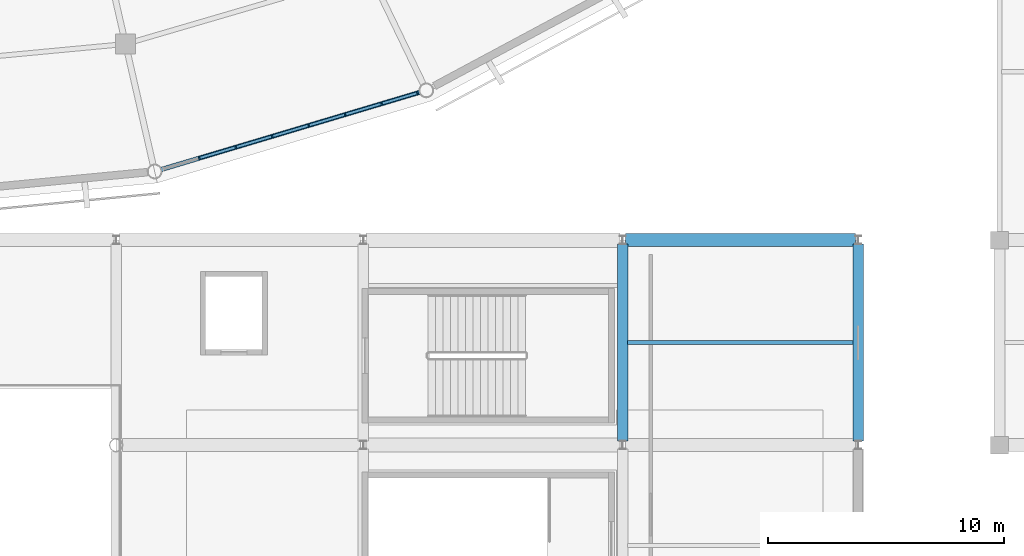
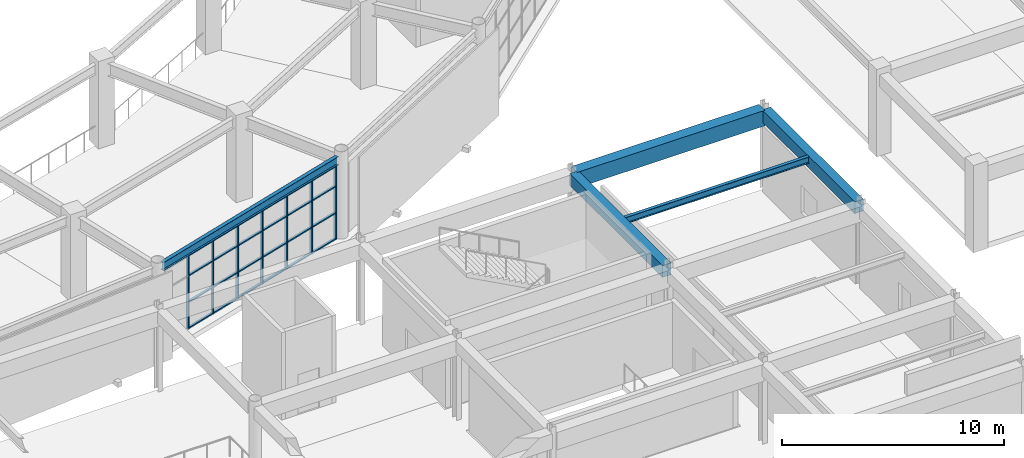
# One storey, part 31 of 112: 31 members, 5 beams, 1 element without a shape of its own.
"""IFC4 building model written with IfcOpenShell, lengths in metres."""

from ifc_helpers import new_model, si_unit, direction, frame, origin, origin_2d, place, context, subcontext, project, spatial, rectangle, i_section, extrude, material, material_profile, profile_set, type_object, element, aggregate, save


model = new_model("IFC4")

# Units and contexts
model_context = context("Model", 3, precision=1e-05, world=origin(), true_north=direction((0.0, 1.0)))
body_context = subcontext(model_context, "Body", "Model", "MODEL_VIEW")
ifc_project = project(units=[si_unit("LENGTHUNIT", "METRE"), si_unit("AREAUNIT", "SQUARE_METRE"), si_unit("VOLUMEUNIT", "CUBIC_METRE"), si_unit("PLANEANGLEUNIT", "RADIAN"), si_unit("MASSUNIT", "GRAM", prefix="KILO")], contexts=[model_context])

# Site, building, storey
site_placement = place(None, origin())
site = spatial("IfcSite", under=ifc_project, at=site_placement, CompositionType="ELEMENT")
building_placement = place(site_placement, origin())
building = spatial("IfcBuilding", under=site, at=building_placement, Name="Cuetzalor Civic Arena", CompositionType="ELEMENT")
storey_placement = place(building_placement, frame((0.0, 0.0, 11.39990234375)))
storey = spatial("IfcBuildingStorey", under=building, at=storey_placement, Name="L02", CompositionType="ELEMENT", Elevation=11.39990234375)

# Beams
ifc_material_1 = material(Name="Concrete C40/50", Category="concrete")
ifc_material_profile_1 = material_profile(ifc_material_1, rectangle(XDim=0.550048828125, YDim=0.85009765625, at=origin_2d()), Name="RC 550x850")
ifc_profile_set_1 = profile_set([ifc_material_profile_1], Name="Concrete C40/50")
beam_type_1 = type_object("IfcBeamType", Name="ConcreteFrameBeam_550x850", PredefinedType="BEAM", material=ifc_profile_set_1)
beam_1_placement = place(storey_placement, frame((32.118408203125, -48.300048828125, 4.09521484375), z_axis=(1.0, 0.0, 0.0), x_axis=(0.0, 1.0, 0.0)))
element("IfcBeam", 1, at=beam_1_placement, inside=storey, type_object=beam_type_1, Name="Frame Girder V3-L02-X0600", PredefinedType="BEAM", context=body_context, shape_type="SweptSolid", body=[
    extrude(rectangle(XDim=0.550048828125, YDim=0.85009765625, at=origin_2d()), origin(), (0.0, 0.0, 1.0), 9.76318359375),
])
ifc_material_2 = material(Name="Concrete C40/50", Category="concrete")
ifc_material_profile_2 = material_profile(ifc_material_2, rectangle(XDim=0.449951171875, YDim=0.64990234375, at=origin_2d()), Name="RC 450x650")
ifc_profile_set_2 = profile_set([ifc_material_profile_2], Name="Concrete C40/50")
beam_type_2 = type_object("IfcBeamType", Name="ConcreteTieBeam_450x650", PredefinedType="BEAM", material=ifc_profile_set_2)
for number, where, z_axis, x_axis, name in (
    (2, (32.0, -56.82861328125, 4.195068359375), (0.0, 1.0, 0.0), (-1.0, 0.0, 0.0), "Frame Girder V3-L02-Y0618"),
    (3, (42.0, -56.82861328125, 4.195068359375), (0.0, 1.0, 0.0), (-1.0, 0.0, 0.0), "Frame Girder V3-L02-Y0621"),
):
    element("IfcBeam", number, at=place(storey_placement, frame(where, z_axis=z_axis, x_axis=x_axis)), inside=storey, type_object=beam_type_2, Name=name, PredefinedType="BEAM", context=body_context, shape_type="SweptSolid", body=[
        extrude(rectangle(XDim=0.449951171875, YDim=0.64990234375, at=origin_2d()), origin(), (0.0, 0.0, 1.0), 8.357177734375),
    ])

# Curtain wall, members
ifc_material_3 = material(Name="Anodised dark bronze aluminium and low-E solar glass", Category="aluminium")
curtain_wall_type = type_object("IfcCurtainWallType", Name="UnitisedCW_11300x4050", PredefinedType="USERDEFINED", material=ifc_material_3)
curtain_wall_placement = place(storey_placement, origin())
curtain_wall = element("IfcCurtainWall", 4, at=curtain_wall_placement, inside=storey, type_object=curtain_wall_type, Name="Drum Triangle Foyer Curtain Wall L02-042", ObjectType="UNITISED CURTAIN WALL", PredefinedType="USERDEFINED")
ifc_material_4 = material(Name="Anodised dark bronze aluminium", Category="aluminium")
ifc_material_profile_3 = material_profile(ifc_material_4, rectangle(XDim=0.06494140625, YDim=0.14990234375, at=origin_2d()), Name="ALU MULLION 65x150")
ifc_profile_set_3 = profile_set([ifc_material_profile_3], Name="Anodised dark bronze aluminium")
member_type_1 = type_object("IfcMemberType", Name="CurtainWallMullion_60x150", PredefinedType="MULLION", material=ifc_profile_set_3)
member_1_placement = place(storey_placement, frame((23.290771484375, -42.052734375, 0.0), z_axis=(0.0, 0.0, 1.0), x_axis=(-0.958193690548, -0.286120344251, 0.0)))
member_1 = element("IfcMember", 5, at=member_1_placement, type_object=member_type_1, Name="CW-15 mullion 1", PredefinedType="MULLION", context=body_context, shape_type="SweptSolid", body=[
    extrude(rectangle(XDim=0.06494140625, YDim=0.14990234375, at=origin_2d()), origin(), (0.0, 0.0, 1.0), 4.052978515625),
])
member_2_placement = place(storey_placement, frame((21.77392578125, -42.505859375, 0.0), z_axis=(0.0, 0.0, 1.0), x_axis=(-0.958193690548, -0.286120344251, 0.0)))
member_2 = element("IfcMember", 6, at=member_2_placement, type_object=member_type_1, Name="CW-15 mullion 2", PredefinedType="MULLION", context=body_context, shape_type="SweptSolid", body=[
    extrude(rectangle(XDim=0.06494140625, YDim=0.14990234375, at=origin_2d()), origin(), (0.0, 0.0, 1.0), 4.052978515625),
])
member_3_placement = place(storey_placement, frame((20.2255859375, -42.968017578125, 0.0), z_axis=(0.0, 0.0, 1.0), x_axis=(-0.958193690548, -0.286120344251, 0.0)))
member_3 = element("IfcMember", 7, at=member_3_placement, type_object=member_type_1, Name="CW-15 mullion 3", PredefinedType="MULLION", context=body_context, shape_type="SweptSolid", body=[
    extrude(rectangle(XDim=0.06494140625, YDim=0.14990234375, at=origin_2d()), origin(), (0.0, 0.0, 1.0), 4.052978515625),
])
member_4_placement = place(storey_placement, frame((18.677490234375, -43.430419921875, 0.0), z_axis=(0.0, 0.0, 1.0), x_axis=(-0.958193690548, -0.286120344251, 0.0)))
member_4 = element("IfcMember", 8, at=member_4_placement, type_object=member_type_1, Name="CW-15 mullion 4", PredefinedType="MULLION", context=body_context, shape_type="SweptSolid", body=[
    extrude(rectangle(XDim=0.06494140625, YDim=0.14990234375, at=origin_2d()), origin(), (0.0, 0.0, 1.0), 4.052978515625),
])
member_5_placement = place(storey_placement, frame((17.12939453125, -43.892578125, 0.0), z_axis=(0.0, 0.0, 1.0), x_axis=(-0.958193690548, -0.286120344251, 0.0)))
member_5 = element("IfcMember", 9, at=member_5_placement, type_object=member_type_1, Name="CW-15 mullion 5", PredefinedType="MULLION", context=body_context, shape_type="SweptSolid", body=[
    extrude(rectangle(XDim=0.06494140625, YDim=0.14990234375, at=origin_2d()), origin(), (0.0, 0.0, 1.0), 4.052978515625),
])
member_6_placement = place(storey_placement, frame((15.581298828125, -44.35498046875, 0.0), z_axis=(0.0, 0.0, 1.0), x_axis=(-0.958193690548, -0.286120344251, 0.0)))
member_6 = element("IfcMember", 10, at=member_6_placement, type_object=member_type_1, Name="CW-15 mullion 6", PredefinedType="MULLION", context=body_context, shape_type="SweptSolid", body=[
    extrude(rectangle(XDim=0.06494140625, YDim=0.14990234375, at=origin_2d()), origin(), (0.0, 0.0, 1.0), 4.052978515625),
])
member_7_placement = place(storey_placement, frame((14.032958984375, -44.817138671875, 0.0), z_axis=(0.0, 0.0, 1.0), x_axis=(-0.958193690548, -0.286120344251, 0.0)))
member_7 = element("IfcMember", 11, at=member_7_placement, type_object=member_type_1, Name="CW-15 mullion 7", PredefinedType="MULLION", context=body_context, shape_type="SweptSolid", body=[
    extrude(rectangle(XDim=0.06494140625, YDim=0.14990234375, at=origin_2d()), origin(), (0.0, 0.0, 1.0), 4.052978515625),
])
ifc_material_5 = material(Name="Anodised dark bronze aluminium", Category="aluminium")
ifc_material_profile_4 = material_profile(ifc_material_5, rectangle(XDim=0.1201171875, YDim=0.06494140625, at=origin_2d()), Name="ALU TRANSOM 65x120")
ifc_profile_set_4 = profile_set([ifc_material_profile_4], Name="Anodised dark bronze aluminium")
member_type_2 = type_object("IfcMemberType", Name="CurtainWallTransom_60x120", PredefinedType="USERDEFINED", material=ifc_profile_set_4)
member_8_placement = place(storey_placement, frame((23.259765625, -42.06201171875, 0.03271484375), z_axis=(-0.958166375169, -0.286211805303, 0.0), x_axis=(0.286211805303, -0.958166375169, 0.0)))
member_8 = element("IfcMember", 12, at=member_8_placement, type_object=member_type_2, Name="CW-15 transom 1.1", ObjectType="TRANSOM", PredefinedType="USERDEFINED", context=body_context, shape_type="SweptSolid", body=[
    extrude(rectangle(XDim=0.1201171875, YDim=0.06494140625, at=origin_2d()), origin(), (0.0, 0.0, 1.0), 1.518310546875),
])
member_9_placement = place(storey_placement, frame((23.259765625, -42.06201171875, 1.458984375), z_axis=(-0.958166375169, -0.286211805303, 0.0), x_axis=(0.286211805303, -0.958166375169, 0.0)))
member_9 = element("IfcMember", 13, at=member_9_placement, type_object=member_type_2, Name="CW-15 transom 1.2", ObjectType="TRANSOM", PredefinedType="USERDEFINED", context=body_context, shape_type="SweptSolid", body=[
    extrude(rectangle(XDim=0.1201171875, YDim=0.06494140625, at=origin_2d()), origin(), (0.0, 0.0, 1.0), 1.518310546875),
])
member_10_placement = place(storey_placement, frame((23.259765625, -42.06201171875, 2.918212890625), z_axis=(-0.958166375169, -0.286211805303, 0.0), x_axis=(0.286211805303, -0.958166375169, 0.0)))
member_10 = element("IfcMember", 14, at=member_10_placement, type_object=member_type_2, Name="CW-15 transom 1.3", ObjectType="TRANSOM", PredefinedType="USERDEFINED", context=body_context, shape_type="SweptSolid", body=[
    extrude(rectangle(XDim=0.1201171875, YDim=0.06494140625, at=origin_2d()), origin(), (0.0, 0.0, 1.0), 1.518310546875),
])
member_11_placement = place(storey_placement, frame((23.259765625, -42.06201171875, 4.0205078125), z_axis=(-0.958166375169, -0.286211805303, 0.0), x_axis=(0.286211805303, -0.958166375169, 0.0)))
member_11 = element("IfcMember", 15, at=member_11_placement, type_object=member_type_2, Name="CW-15 transom 1.4", ObjectType="TRANSOM", PredefinedType="USERDEFINED", context=body_context, shape_type="SweptSolid", body=[
    extrude(rectangle(XDim=0.1201171875, YDim=0.06494140625, at=origin_2d()), origin(), (0.0, 0.0, 1.0), 1.518310546875),
])
member_12_placement = place(storey_placement, frame((21.74267578125, -42.51513671875, 0.03271484375), z_axis=(-0.958206775077, -0.286076521576, 0.0), x_axis=(0.286076521576, -0.958206775077, 0.0)))
member_12 = element("IfcMember", 16, at=member_12_placement, type_object=member_type_2, Name="CW-15 transom 2.1", ObjectType="TRANSOM", PredefinedType="USERDEFINED", context=body_context, shape_type="SweptSolid", body=[
    extrude(rectangle(XDim=0.1201171875, YDim=0.06494140625, at=origin_2d()), origin(), (0.0, 0.0, 1.0), 1.550537109375),
])
member_13_placement = place(storey_placement, frame((21.74267578125, -42.51513671875, 1.458984375), z_axis=(-0.958206775077, -0.286076521576, 0.0), x_axis=(0.286076521576, -0.958206775077, 0.0)))
member_13 = element("IfcMember", 17, at=member_13_placement, type_object=member_type_2, Name="CW-15 transom 2.2", ObjectType="TRANSOM", PredefinedType="USERDEFINED", context=body_context, shape_type="SweptSolid", body=[
    extrude(rectangle(XDim=0.1201171875, YDim=0.06494140625, at=origin_2d()), origin(), (0.0, 0.0, 1.0), 1.550537109375),
])
member_14_placement = place(storey_placement, frame((21.74267578125, -42.51513671875, 2.918212890625), z_axis=(-0.958206775077, -0.286076521576, 0.0), x_axis=(0.286076521576, -0.958206775077, 0.0)))
member_14 = element("IfcMember", 18, at=member_14_placement, type_object=member_type_2, Name="CW-15 transom 2.3", ObjectType="TRANSOM", PredefinedType="USERDEFINED", context=body_context, shape_type="SweptSolid", body=[
    extrude(rectangle(XDim=0.1201171875, YDim=0.06494140625, at=origin_2d()), origin(), (0.0, 0.0, 1.0), 1.550537109375),
])
member_15_placement = place(storey_placement, frame((21.74267578125, -42.51513671875, 4.0205078125), z_axis=(-0.958206775077, -0.286076521576, 0.0), x_axis=(0.286076521576, -0.958206775077, 0.0)))
member_15 = element("IfcMember", 19, at=member_15_placement, type_object=member_type_2, Name="CW-15 transom 2.4", ObjectType="TRANSOM", PredefinedType="USERDEFINED", context=body_context, shape_type="SweptSolid", body=[
    extrude(rectangle(XDim=0.1201171875, YDim=0.06494140625, at=origin_2d()), origin(), (0.0, 0.0, 1.0), 1.550537109375),
])
member_16_placement = place(storey_placement, frame((20.194580078125, -42.977294921875, 0.03271484375), z_axis=(-0.958163607379, -0.286221071018, 0.0), x_axis=(0.286221071018, -0.958163607379, 0.0)))
member_16 = element("IfcMember", 20, at=member_16_placement, type_object=member_type_2, Name="CW-15 transom 3.1", ObjectType="TRANSOM", PredefinedType="USERDEFINED", context=body_context, shape_type="SweptSolid", body=[
    extrude(rectangle(XDim=0.1201171875, YDim=0.06494140625, at=origin_2d()), origin(), (0.0, 0.0, 1.0), 1.55078125),
])
member_17_placement = place(storey_placement, frame((20.194580078125, -42.977294921875, 1.458984375), z_axis=(-0.958163607379, -0.286221071018, 0.0), x_axis=(0.286221071018, -0.958163607379, 0.0)))
member_17 = element("IfcMember", 21, at=member_17_placement, type_object=member_type_2, Name="CW-15 transom 3.2", ObjectType="TRANSOM", PredefinedType="USERDEFINED", context=body_context, shape_type="SweptSolid", body=[
    extrude(rectangle(XDim=0.1201171875, YDim=0.06494140625, at=origin_2d()), origin(), (0.0, 0.0, 1.0), 1.55078125),
])
member_18_placement = place(storey_placement, frame((20.194580078125, -42.977294921875, 2.918212890625), z_axis=(-0.958163607379, -0.286221071018, 0.0), x_axis=(0.286221071018, -0.958163607379, 0.0)))
member_18 = element("IfcMember", 22, at=member_18_placement, type_object=member_type_2, Name="CW-15 transom 3.3", ObjectType="TRANSOM", PredefinedType="USERDEFINED", context=body_context, shape_type="SweptSolid", body=[
    extrude(rectangle(XDim=0.1201171875, YDim=0.06494140625, at=origin_2d()), origin(), (0.0, 0.0, 1.0), 1.55078125),
])
member_19_placement = place(storey_placement, frame((20.194580078125, -42.977294921875, 4.0205078125), z_axis=(-0.958163607379, -0.286221071018, 0.0), x_axis=(0.286221071018, -0.958163607379, 0.0)))
member_19 = element("IfcMember", 23, at=member_19_placement, type_object=member_type_2, Name="CW-15 transom 3.4", ObjectType="TRANSOM", PredefinedType="USERDEFINED", context=body_context, shape_type="SweptSolid", body=[
    extrude(rectangle(XDim=0.1201171875, YDim=0.06494140625, at=origin_2d()), origin(), (0.0, 0.0, 1.0), 1.55078125),
])
member_20_placement = place(storey_placement, frame((18.646484375, -43.439697265625, 0.03271484375), z_axis=(-0.958219657378, -0.286033369058, 0.0), x_axis=(0.286033369058, -0.958219657378, 0.0)))
member_20 = element("IfcMember", 24, at=member_20_placement, type_object=member_type_2, Name="CW-15 transom 4.1", ObjectType="TRANSOM", PredefinedType="USERDEFINED", context=body_context, shape_type="SweptSolid", body=[
    extrude(rectangle(XDim=0.1201171875, YDim=0.06494140625, at=origin_2d()), origin(), (0.0, 0.0, 1.0), 1.55078125),
])
member_21_placement = place(storey_placement, frame((18.646484375, -43.439697265625, 1.458984375), z_axis=(-0.958219657378, -0.286033369058, 0.0), x_axis=(0.286033369058, -0.958219657378, 0.0)))
member_21 = element("IfcMember", 25, at=member_21_placement, type_object=member_type_2, Name="CW-15 transom 4.2", ObjectType="TRANSOM", PredefinedType="USERDEFINED", context=body_context, shape_type="SweptSolid", body=[
    extrude(rectangle(XDim=0.1201171875, YDim=0.06494140625, at=origin_2d()), origin(), (0.0, 0.0, 1.0), 1.55078125),
])
member_22_placement = place(storey_placement, frame((18.646484375, -43.439697265625, 2.918212890625), z_axis=(-0.958219657378, -0.286033369058, 0.0), x_axis=(0.286033369058, -0.958219657378, 0.0)))
member_22 = element("IfcMember", 26, at=member_22_placement, type_object=member_type_2, Name="CW-15 transom 4.3", ObjectType="TRANSOM", PredefinedType="USERDEFINED", context=body_context, shape_type="SweptSolid", body=[
    extrude(rectangle(XDim=0.1201171875, YDim=0.06494140625, at=origin_2d()), origin(), (0.0, 0.0, 1.0), 1.55078125),
])
member_23_placement = place(storey_placement, frame((18.646484375, -43.439697265625, 4.0205078125), z_axis=(-0.958219657378, -0.286033369058, 0.0), x_axis=(0.286033369058, -0.958219657378, 0.0)))
member_23 = element("IfcMember", 27, at=member_23_placement, type_object=member_type_2, Name="CW-15 transom 4.4", ObjectType="TRANSOM", PredefinedType="USERDEFINED", context=body_context, shape_type="SweptSolid", body=[
    extrude(rectangle(XDim=0.1201171875, YDim=0.06494140625, at=origin_2d()), origin(), (0.0, 0.0, 1.0), 1.55078125),
])
member_24_placement = place(storey_placement, frame((17.09814453125, -43.90185546875, 0.03271484375), z_axis=(-0.958163607379, -0.286221071018, 0.0), x_axis=(0.286221071018, -0.958163607379, 0.0)))
member_24 = element("IfcMember", 28, at=member_24_placement, type_object=member_type_2, Name="CW-15 transom 5.1", ObjectType="TRANSOM", PredefinedType="USERDEFINED", context=body_context, shape_type="SweptSolid", body=[
    extrude(rectangle(XDim=0.1201171875, YDim=0.06494140625, at=origin_2d()), origin(), (0.0, 0.0, 1.0), 1.55078125),
])
member_25_placement = place(storey_placement, frame((17.09814453125, -43.90185546875, 1.458984375), z_axis=(-0.958163607379, -0.286221071018, 0.0), x_axis=(0.286221071018, -0.958163607379, 0.0)))
member_25 = element("IfcMember", 29, at=member_25_placement, type_object=member_type_2, Name="CW-15 transom 5.2", ObjectType="TRANSOM", PredefinedType="USERDEFINED", context=body_context, shape_type="SweptSolid", body=[
    extrude(rectangle(XDim=0.1201171875, YDim=0.06494140625, at=origin_2d()), origin(), (0.0, 0.0, 1.0), 1.55078125),
])
member_26_placement = place(storey_placement, frame((17.09814453125, -43.90185546875, 2.918212890625), z_axis=(-0.958163607379, -0.286221071018, 0.0), x_axis=(0.286221071018, -0.958163607379, 0.0)))
member_26 = element("IfcMember", 30, at=member_26_placement, type_object=member_type_2, Name="CW-15 transom 5.3", ObjectType="TRANSOM", PredefinedType="USERDEFINED", context=body_context, shape_type="SweptSolid", body=[
    extrude(rectangle(XDim=0.1201171875, YDim=0.06494140625, at=origin_2d()), origin(), (0.0, 0.0, 1.0), 1.55078125),
])
member_27_placement = place(storey_placement, frame((17.09814453125, -43.90185546875, 4.0205078125), z_axis=(-0.958163607379, -0.286221071018, 0.0), x_axis=(0.286221071018, -0.958163607379, 0.0)))
member_27 = element("IfcMember", 31, at=member_27_placement, type_object=member_type_2, Name="CW-15 transom 5.4", ObjectType="TRANSOM", PredefinedType="USERDEFINED", context=body_context, shape_type="SweptSolid", body=[
    extrude(rectangle(XDim=0.1201171875, YDim=0.06494140625, at=origin_2d()), origin(), (0.0, 0.0, 1.0), 1.55078125),
])
member_28_placement = place(storey_placement, frame((15.550048828125, -44.3642578125, 0.03271484375), z_axis=(-0.958206775077, -0.286076521576, 0.0), x_axis=(0.286076521576, -0.958206775077, 0.0)))
member_28 = element("IfcMember", 32, at=member_28_placement, type_object=member_type_2, Name="CW-15 transom 6.1", ObjectType="TRANSOM", PredefinedType="USERDEFINED", context=body_context, shape_type="SweptSolid", body=[
    extrude(rectangle(XDim=0.1201171875, YDim=0.06494140625, at=origin_2d()), origin(), (0.0, 0.0, 1.0), 1.550537109375),
])
member_29_placement = place(storey_placement, frame((15.550048828125, -44.3642578125, 1.458984375), z_axis=(-0.958206775077, -0.286076521576, 0.0), x_axis=(0.286076521576, -0.958206775077, 0.0)))
member_29 = element("IfcMember", 33, at=member_29_placement, type_object=member_type_2, Name="CW-15 transom 6.2", ObjectType="TRANSOM", PredefinedType="USERDEFINED", context=body_context, shape_type="SweptSolid", body=[
    extrude(rectangle(XDim=0.1201171875, YDim=0.06494140625, at=origin_2d()), origin(), (0.0, 0.0, 1.0), 1.550537109375),
])
member_30_placement = place(storey_placement, frame((15.550048828125, -44.3642578125, 2.918212890625), z_axis=(-0.958206775077, -0.286076521576, 0.0), x_axis=(0.286076521576, -0.958206775077, 0.0)))
member_30 = element("IfcMember", 34, at=member_30_placement, type_object=member_type_2, Name="CW-15 transom 6.3", ObjectType="TRANSOM", PredefinedType="USERDEFINED", context=body_context, shape_type="SweptSolid", body=[
    extrude(rectangle(XDim=0.1201171875, YDim=0.06494140625, at=origin_2d()), origin(), (0.0, 0.0, 1.0), 1.550537109375),
])
member_31_placement = place(storey_placement, frame((15.550048828125, -44.3642578125, 4.0205078125), z_axis=(-0.958206775077, -0.286076521576, 0.0), x_axis=(0.286076521576, -0.958206775077, 0.0)))
member_31 = element("IfcMember", 35, at=member_31_placement, type_object=member_type_2, Name="CW-15 transom 6.4", ObjectType="TRANSOM", PredefinedType="USERDEFINED", context=body_context, shape_type="SweptSolid", body=[
    extrude(rectangle(XDim=0.1201171875, YDim=0.06494140625, at=origin_2d()), origin(), (0.0, 0.0, 1.0), 1.550537109375),
])
aggregate(curtain_wall, [member_1, member_2, member_3, member_4, member_5, member_6, member_7, member_8, member_9, member_10, member_11, member_12, member_13, member_14, member_15, member_16, member_17, member_18, member_19, member_20, member_21, member_22, member_23, member_24, member_25, member_26, member_27, member_28, member_29, member_30, member_31])

# Beams
ifc_material_6 = material(Name="Steel S355", Category="steel")
ifc_material_profile_5 = material_profile(ifc_material_6, i_section(OverallWidth=0.18994140625, OverallDepth=0.45703125, WebThickness=0.009033203125, FlangeThickness=0.014404296875, at=origin_2d()), Name="W460x74")
ifc_profile_set_5 = profile_set([ifc_material_profile_5], Name="Steel S355")
beam_type_3 = type_object("IfcBeamType", Name="FacadeSpandrelBeam_W460", PredefinedType="SPANDREL", material=ifc_profile_set_5)
beam_2_placement = place(storey_placement, frame((12.41650390625, -45.2998046875, 4.29150390625), z_axis=(0.958199215373, 0.28610184141, 0.0), x_axis=(-0.28610184141, 0.958199215373, 0.0)))
element("IfcBeam", 36, at=beam_2_placement, inside=storey, type_object=beam_type_3, Name="Drum Perimeter Spandrel L02-S23", PredefinedType="SPANDREL", context=body_context, shape_type="SweptSolid", body=[
    extrude(i_section(OverallWidth=0.18994140625, OverallDepth=0.45703125, WebThickness=0.009033203125, FlangeThickness=0.014404296875, at=origin_2d()), origin(), (0.0, 0.0, 1.0), 11.45263671875),
])
ifc_material_7 = material(Name="Steel S355", Category="steel")
ifc_material_profile_6 = material_profile(ifc_material_7, i_section(OverallWidth=0.1708984375, OverallDepth=0.35498046875, WebThickness=0.007080078125, FlangeThickness=0.01171875, at=origin_2d()), Name="W360x51")
ifc_profile_set_6 = profile_set([ifc_material_profile_6], Name="Steel S355")
beam_type_4 = type_object("IfcBeamType", Name="SecondaryFloorJoist_W360", PredefinedType="JOIST", material=ifc_profile_set_6)
beam_3_placement = place(storey_placement, frame((32.217041015625, -52.64990234375, 4.342529296875), z_axis=(1.0, 0.0, 0.0), x_axis=(0.0, 1.0, 0.0)))
element("IfcBeam", 37, at=beam_3_placement, inside=storey, type_object=beam_type_4, Name="Secondary Floor Joist V3-L02-0188", PredefinedType="JOIST", context=body_context, shape_type="SweptSolid", body=[
    extrude(i_section(OverallWidth=0.1708984375, OverallDepth=0.35498046875, WebThickness=0.007080078125, FlangeThickness=0.01171875, at=origin_2d()), origin(), (0.0, 0.0, 1.0), 9.56591796875),
])

save(model, "model.ifc")
